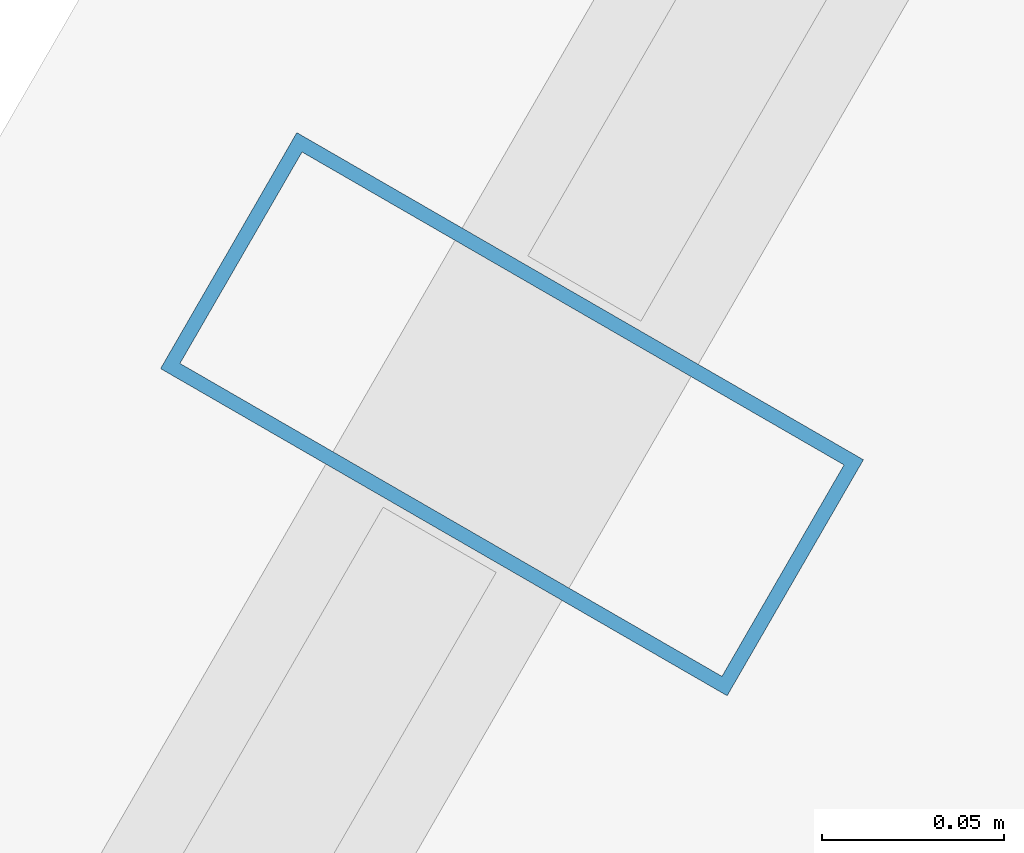
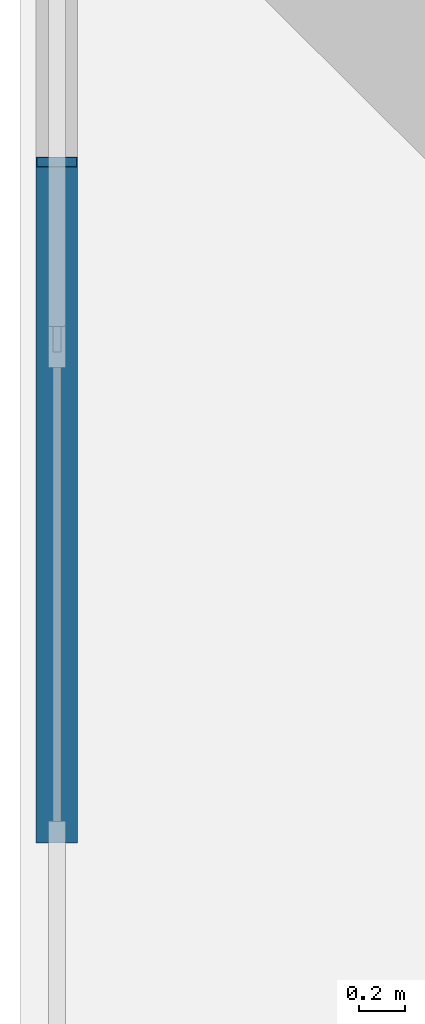
# One storey, part 15 of 32: 1 member, 1 element without a shape of its own.
"""IFC4 building model written with IfcOpenShell, lengths in metres."""

from ifc_helpers import new_model, si_unit, direction, frame, origin, origin_2d, place, context, subcontext, project, spatial, hollow_rectangle, extrude, material, layer, layer_set, material_profile, profile_set, type_object, element, aggregate, save


model = new_model("IFC4")

# Units and contexts
model_context = context("Model", 3, precision=1e-05, world=origin(), true_north=direction((0.0, 1.0)))
body_context = subcontext(model_context, "Body", "Model", "MODEL_VIEW")
ifc_project = project(units=[si_unit("LENGTHUNIT", "METRE"), si_unit("AREAUNIT", "SQUARE_METRE"), si_unit("VOLUMEUNIT", "CUBIC_METRE"), si_unit("PLANEANGLEUNIT", "RADIAN"), si_unit("MASSUNIT", "GRAM", prefix="KILO")], contexts=[model_context])

# Site, building, storey
site_placement = place(None, origin())
site = spatial("IfcSite", under=ifc_project, at=site_placement, CompositionType="ELEMENT")
building_placement = place(site_placement, origin())
building = spatial("IfcBuilding", under=site, at=building_placement, Name="Ndaravel Arena Tower", CompositionType="ELEMENT")
storey_placement = place(building_placement, frame((0.0, 0.0, 259.800048828125)))
storey = spatial("IfcBuildingStorey", under=building, at=storey_placement, Name="L63", CompositionType="ELEMENT", Elevation=259.800048828125)

# Curtain wall, member
ifc_material_1 = material(Name="Aluminium", Category="aluminium")
ifc_layer = layer(ifc_material_1, 0.179931640625)
ifc_layer_set = layer_set([ifc_layer], Name="Aluminium")
curtain_wall_type = type_object("IfcCurtainWallType", Name="CW-SYS-03", PredefinedType="NOTDEFINED", material=ifc_layer_set)
curtain_wall_placement = place(storey_placement, origin())
curtain_wall = element("IfcCurtainWall", 1, at=curtain_wall_placement, inside=storey, type_object=curtain_wall_type, Name="L63 Faceted Crystal Curtain Wall CW-L63-E05", PredefinedType="NOTDEFINED")
ifc_material_2 = material(Name="Aluminium", Category="aluminium")
ifc_material_profile = material_profile(ifc_material_2, hollow_rectangle(XDim=0.074951171875, YDim=0.179931640625, WallThickness=0.00390625, at=origin_2d()), Name="CW MULLION 75x180x4")
ifc_profile_set = profile_set([ifc_material_profile], Name="Aluminium")
member_type = type_object("IfcMemberType", Name="MEM-CW-MUL180", PredefinedType="MULLION", material=ifc_profile_set)
member_placement = place(storey_placement, frame((34.585693359375, 37.057373046875, 0.0), z_axis=(0.0, 0.0, 1.0), x_axis=(-0.5, -0.866025403784, 0.0)))
member = element("IfcMember", 2, at=member_placement, type_object=member_type, Name="CW-L63-E05 Mullion 02", PredefinedType="MULLION", context=body_context, shape_type="SweptSolid", body=[
    extrude(hollow_rectangle(XDim=0.074951171875, YDim=0.179931640625, WallThickness=0.00390625, at=origin_2d()), origin(), (0.0, 0.0, 1.0), 3.579833984375),
])
aggregate(curtain_wall, [member])

save(model, "model.ifc")
